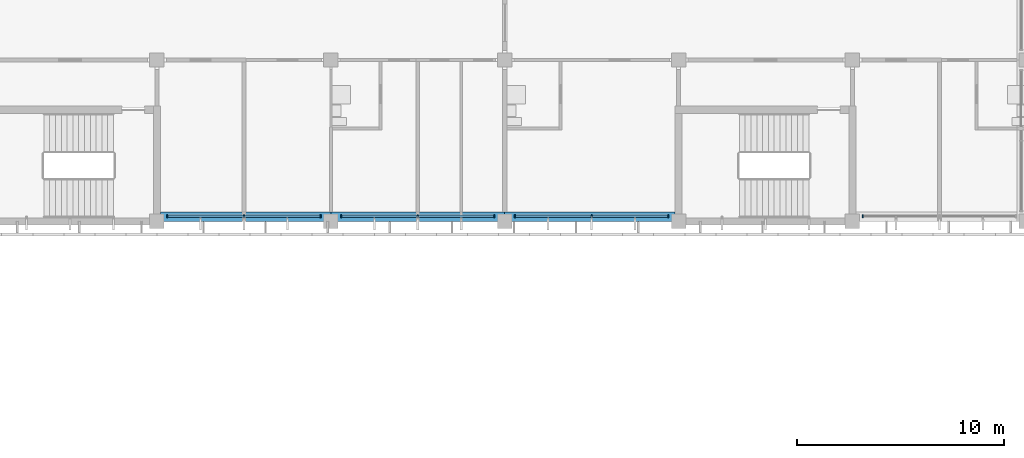
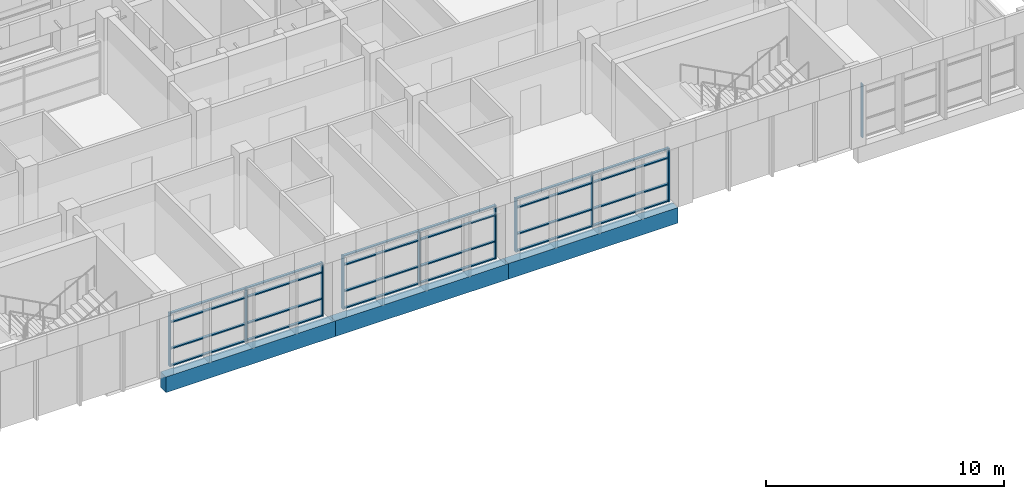
# One storey, part 8 of 74: 34 members, 3 beams, 4 elements without a shape of their own.
"""IFC4 building model written with IfcOpenShell, lengths in metres."""

from ifc_helpers import new_model, si_unit, direction, frame, origin, origin_2d, place, context, subcontext, project, spatial, rectangle, extrude, material, material_profile, profile_set, type_object, element, aggregate, save


model = new_model("IFC4")

# Units and contexts
model_context = context("Model", 3, precision=1e-05, world=origin(), true_north=direction((0.0, 1.0)))
body_context = subcontext(model_context, "Body", "Model", "MODEL_VIEW")
ifc_project = project(units=[si_unit("LENGTHUNIT", "METRE"), si_unit("AREAUNIT", "SQUARE_METRE"), si_unit("VOLUMEUNIT", "CUBIC_METRE"), si_unit("PLANEANGLEUNIT", "RADIAN"), si_unit("MASSUNIT", "GRAM", prefix="KILO")], contexts=[model_context])

# Site, building, storey
site_placement = place(None, origin())
site = spatial("IfcSite", under=ifc_project, at=site_placement, CompositionType="ELEMENT")
building_placement = place(site_placement, origin())
building = spatial("IfcBuilding", under=site, at=building_placement, Name="Bougainvillea Quay General Hospital", CompositionType="ELEMENT")
storey_placement = place(building_placement, frame((0.0, 0.0, 21.0)))
storey = spatial("IfcBuildingStorey", under=building, at=storey_placement, Name="L04", CompositionType="ELEMENT", Elevation=21.0)

# Curtain wall, members
ifc_material_1 = material(Name="Aluminium curtain wall system, powder-coated glazed", Category="aluminium")
curtain_wall_type = type_object("IfcCurtainWallType", Name="Unitised curtain wall CW-3730", PredefinedType="NOTDEFINED", material=ifc_material_1)
curtain_wall_1_placement = place(storey_placement, origin())
curtain_wall_1 = element("IfcCurtainWall", 1, at=curtain_wall_1_placement, inside=storey, type_object=curtain_wall_type, Name="CW-4200 07", PredefinedType="NOTDEFINED")
ifc_material_2 = material(Name="Aluminium mullion, powder-coated charcoal", Category="aluminium")
ifc_material_profile_1 = material_profile(ifc_material_2, rectangle(XDim=0.159912109375, YDim=0.06005859375, at=origin_2d()))
ifc_profile_set_1 = profile_set([ifc_material_profile_1], Name="Aluminium mullion, powder-coated charcoal")
member_type_1 = type_object("IfcMemberType", Name="Curtain wall mullion 160x60", PredefinedType="MULLION", material=ifc_profile_set_1)
member_1_placement = place(storey_placement, frame((126.5, 117.85009765625, 0.0), z_axis=(0.0, 0.0, 1.0), x_axis=(0.0, 1.0, 0.0)))
member_1 = element("IfcMember", 2, at=member_1_placement, type_object=member_type_1, Name="CW-4200 mullion 1", PredefinedType="MULLION", context=body_context, shape_type="SweptSolid", body=[
    extrude(rectangle(XDim=0.159912109375, YDim=0.06005859375, at=origin_2d()), origin(), (0.0, 0.0, 1.0), 2.75),
])
member_2_placement = place(storey_placement, frame((130.199951171875, 117.85009765625, 0.0), z_axis=(0.0, 0.0, 1.0), x_axis=(0.0, 1.0, 0.0)))
member_2 = element("IfcMember", 3, at=member_2_placement, type_object=member_type_1, Name="CW-4200 mullion 2", PredefinedType="MULLION", context=body_context, shape_type="SweptSolid", body=[
    extrude(rectangle(XDim=0.159912109375, YDim=0.06005859375, at=origin_2d()), origin(), (0.0, 0.0, 1.0), 2.75),
])
member_3_placement = place(storey_placement, frame((133.89990234375, 117.85009765625, 0.0), z_axis=(0.0, 0.0, 1.0), x_axis=(0.0, 1.0, 0.0)))
member_3 = element("IfcMember", 4, at=member_3_placement, type_object=member_type_1, Name="CW-4200 mullion 3", PredefinedType="MULLION", context=body_context, shape_type="SweptSolid", body=[
    extrude(rectangle(XDim=0.159912109375, YDim=0.06005859375, at=origin_2d()), origin(), (0.0, 0.0, 1.0), 2.75),
])

curtain_wall_2_placement = place(storey_placement, origin())
curtain_wall_2 = element("IfcCurtainWall", 5, at=curtain_wall_2_placement, inside=storey, type_object=curtain_wall_type, Name="CW-4200 08", PredefinedType="NOTDEFINED")
member_4_placement = place(storey_placement, frame((134.89990234375, 117.85009765625, 0.0), z_axis=(0.0, 0.0, 1.0), x_axis=(0.0, 1.0, 0.0)))
member_4 = element("IfcMember", 6, at=member_4_placement, type_object=member_type_1, Name="CW-4200 mullion 1", PredefinedType="MULLION", context=body_context, shape_type="SweptSolid", body=[
    extrude(rectangle(XDim=0.159912109375, YDim=0.06005859375, at=origin_2d()), origin(), (0.0, 0.0, 1.0), 2.75),
])
member_5_placement = place(storey_placement, frame((138.60009765625, 117.85009765625, 0.0), z_axis=(0.0, 0.0, 1.0), x_axis=(0.0, 1.0, 0.0)))
member_5 = element("IfcMember", 7, at=member_5_placement, type_object=member_type_1, Name="CW-4200 mullion 2", PredefinedType="MULLION", context=body_context, shape_type="SweptSolid", body=[
    extrude(rectangle(XDim=0.159912109375, YDim=0.06005859375, at=origin_2d()), origin(), (0.0, 0.0, 1.0), 2.75),
])
member_6_placement = place(storey_placement, frame((142.300048828125, 117.85009765625, 0.0), z_axis=(0.0, 0.0, 1.0), x_axis=(0.0, 1.0, 0.0)))
member_6 = element("IfcMember", 8, at=member_6_placement, type_object=member_type_1, Name="CW-4200 mullion 3", PredefinedType="MULLION", context=body_context, shape_type="SweptSolid", body=[
    extrude(rectangle(XDim=0.159912109375, YDim=0.06005859375, at=origin_2d()), origin(), (0.0, 0.0, 1.0), 2.75),
])

curtain_wall_3_placement = place(storey_placement, origin())
curtain_wall_3 = element("IfcCurtainWall", 9, at=curtain_wall_3_placement, inside=storey, type_object=curtain_wall_type, Name="CW-4200 09", PredefinedType="NOTDEFINED")
member_7_placement = place(storey_placement, frame((143.300048828125, 117.85009765625, 0.0), z_axis=(0.0, 0.0, 1.0), x_axis=(0.0, 1.0, 0.0)))
member_7 = element("IfcMember", 10, at=member_7_placement, type_object=member_type_1, Name="CW-4200 mullion 1", PredefinedType="MULLION", context=body_context, shape_type="SweptSolid", body=[
    extrude(rectangle(XDim=0.159912109375, YDim=0.06005859375, at=origin_2d()), origin(), (0.0, 0.0, 1.0), 2.75),
])
member_8_placement = place(storey_placement, frame((147.0, 117.85009765625, 0.0), z_axis=(0.0, 0.0, 1.0), x_axis=(0.0, 1.0, 0.0)))
member_8 = element("IfcMember", 11, at=member_8_placement, type_object=member_type_1, Name="CW-4200 mullion 2", PredefinedType="MULLION", context=body_context, shape_type="SweptSolid", body=[
    extrude(rectangle(XDim=0.159912109375, YDim=0.06005859375, at=origin_2d()), origin(), (0.0, 0.0, 1.0), 2.75),
])
member_9_placement = place(storey_placement, frame((150.699951171875, 117.85009765625, 0.0), z_axis=(0.0, 0.0, 1.0), x_axis=(0.0, 1.0, 0.0)))
member_9 = element("IfcMember", 12, at=member_9_placement, type_object=member_type_1, Name="CW-4200 mullion 3", PredefinedType="MULLION", context=body_context, shape_type="SweptSolid", body=[
    extrude(rectangle(XDim=0.159912109375, YDim=0.06005859375, at=origin_2d()), origin(), (0.0, 0.0, 1.0), 2.75),
])

# Curtain wall, member
curtain_wall_4_placement = place(storey_placement, origin())
curtain_wall_4 = element("IfcCurtainWall", 13, at=curtain_wall_4_placement, inside=storey, type_object=curtain_wall_type, Name="CW-4200 10", PredefinedType="NOTDEFINED")
member_10_placement = place(storey_placement, frame((160.10009765625, 117.85009765625, 0.0), z_axis=(0.0, 0.0, 1.0), x_axis=(0.0, 1.0, 0.0)))
member_10 = element("IfcMember", 14, at=member_10_placement, type_object=member_type_1, Name="CW-4200 mullion 1", PredefinedType="MULLION", context=body_context, shape_type="SweptSolid", body=[
    extrude(rectangle(XDim=0.159912109375, YDim=0.06005859375, at=origin_2d()), origin(), (0.0, 0.0, 1.0), 2.75),
])
aggregate(curtain_wall_4, [member_10])

# Member
ifc_material_3 = material(Name="Aluminium transom, powder-coated charcoal", Category="aluminium")
ifc_material_profile_2 = material_profile(ifc_material_3, rectangle(XDim=0.1201171875, YDim=0.06005859375, at=origin_2d()))
ifc_profile_set_2 = profile_set([ifc_material_profile_2], Name="Aluminium transom, powder-coated charcoal")
member_type_2 = type_object("IfcMemberType", Name="Curtain wall transom 120x60", PredefinedType="USERDEFINED", material=ifc_profile_set_2)
member_11_placement = place(storey_placement, frame((126.530029296875, 117.85009765625, 0.030029296875), z_axis=(1.0, 0.0, 0.0), x_axis=(0.0, 1.0, 0.0)))
member_11 = element("IfcMember", 15, at=member_11_placement, type_object=member_type_2, Name="CW-4200 transom 1.1", ObjectType="TRANSOM", PredefinedType="USERDEFINED", context=body_context, shape_type="SweptSolid", body=[
    extrude(rectangle(XDim=0.1201171875, YDim=0.06005859375, at=origin_2d()), origin(), (0.0, 0.0, 1.0), 3.639892578125),
])

member_12_placement = place(storey_placement, frame((126.530029296875, 117.85009765625, 0.89990234375), z_axis=(1.0, 0.0, 0.0), x_axis=(0.0, 1.0, 0.0)))
member_12 = element("IfcMember", 16, at=member_12_placement, type_object=member_type_2, Name="CW-4200 transom 1.2", ObjectType="TRANSOM", PredefinedType="USERDEFINED", context=body_context, shape_type="SweptSolid", body=[
    extrude(rectangle(XDim=0.1201171875, YDim=0.06005859375, at=origin_2d()), origin(), (0.0, 0.0, 1.0), 3.639892578125),
])

member_13_placement = place(storey_placement, frame((126.530029296875, 117.85009765625, 2.25), z_axis=(1.0, 0.0, 0.0), x_axis=(0.0, 1.0, 0.0)))
member_13 = element("IfcMember", 17, at=member_13_placement, type_object=member_type_2, Name="CW-4200 transom 1.3", ObjectType="TRANSOM", PredefinedType="USERDEFINED", context=body_context, shape_type="SweptSolid", body=[
    extrude(rectangle(XDim=0.1201171875, YDim=0.06005859375, at=origin_2d()), origin(), (0.0, 0.0, 1.0), 3.639892578125),
])

member_14_placement = place(storey_placement, frame((126.530029296875, 117.85009765625, 2.719970703125), z_axis=(1.0, 0.0, 0.0), x_axis=(0.0, 1.0, 0.0)))
member_14 = element("IfcMember", 18, at=member_14_placement, type_object=member_type_2, Name="CW-4200 transom 1.4", ObjectType="TRANSOM", PredefinedType="USERDEFINED", context=body_context, shape_type="SweptSolid", body=[
    extrude(rectangle(XDim=0.1201171875, YDim=0.06005859375, at=origin_2d()), origin(), (0.0, 0.0, 1.0), 3.639892578125),
])

member_15_placement = place(storey_placement, frame((130.22998046875, 117.85009765625, 0.030029296875), z_axis=(1.0, 0.0, 0.0), x_axis=(0.0, 1.0, 0.0)))
member_15 = element("IfcMember", 19, at=member_15_placement, type_object=member_type_2, Name="CW-4200 transom 2.1", ObjectType="TRANSOM", PredefinedType="USERDEFINED", context=body_context, shape_type="SweptSolid", body=[
    extrude(rectangle(XDim=0.1201171875, YDim=0.06005859375, at=origin_2d()), origin(), (0.0, 0.0, 1.0), 3.64013671875),
])

member_16_placement = place(storey_placement, frame((130.22998046875, 117.85009765625, 0.89990234375), z_axis=(1.0, 0.0, 0.0), x_axis=(0.0, 1.0, 0.0)))
member_16 = element("IfcMember", 20, at=member_16_placement, type_object=member_type_2, Name="CW-4200 transom 2.2", ObjectType="TRANSOM", PredefinedType="USERDEFINED", context=body_context, shape_type="SweptSolid", body=[
    extrude(rectangle(XDim=0.1201171875, YDim=0.06005859375, at=origin_2d()), origin(), (0.0, 0.0, 1.0), 3.64013671875),
])

member_17_placement = place(storey_placement, frame((130.22998046875, 117.85009765625, 2.25), z_axis=(1.0, 0.0, 0.0), x_axis=(0.0, 1.0, 0.0)))
member_17 = element("IfcMember", 21, at=member_17_placement, type_object=member_type_2, Name="CW-4200 transom 2.3", ObjectType="TRANSOM", PredefinedType="USERDEFINED", context=body_context, shape_type="SweptSolid", body=[
    extrude(rectangle(XDim=0.1201171875, YDim=0.06005859375, at=origin_2d()), origin(), (0.0, 0.0, 1.0), 3.64013671875),
])

member_18_placement = place(storey_placement, frame((130.22998046875, 117.85009765625, 2.719970703125), z_axis=(1.0, 0.0, 0.0), x_axis=(0.0, 1.0, 0.0)))
member_18 = element("IfcMember", 22, at=member_18_placement, type_object=member_type_2, Name="CW-4200 transom 2.4", ObjectType="TRANSOM", PredefinedType="USERDEFINED", context=body_context, shape_type="SweptSolid", body=[
    extrude(rectangle(XDim=0.1201171875, YDim=0.06005859375, at=origin_2d()), origin(), (0.0, 0.0, 1.0), 3.64013671875),
])

aggregate(curtain_wall_1, [member_1, member_2, member_3, member_11, member_12, member_13, member_14, member_15, member_16, member_17, member_18])

member_19_placement = place(storey_placement, frame((134.929931640625, 117.85009765625, 0.030029296875), z_axis=(1.0, 0.0, 0.0), x_axis=(0.0, 1.0, 0.0)))
member_19 = element("IfcMember", 23, at=member_19_placement, type_object=member_type_2, Name="CW-4200 transom 1.1", ObjectType="TRANSOM", PredefinedType="USERDEFINED", context=body_context, shape_type="SweptSolid", body=[
    extrude(rectangle(XDim=0.1201171875, YDim=0.06005859375, at=origin_2d()), origin(), (0.0, 0.0, 1.0), 3.64013671875),
])

member_20_placement = place(storey_placement, frame((134.929931640625, 117.85009765625, 0.89990234375), z_axis=(1.0, 0.0, 0.0), x_axis=(0.0, 1.0, 0.0)))
member_20 = element("IfcMember", 24, at=member_20_placement, type_object=member_type_2, Name="CW-4200 transom 1.2", ObjectType="TRANSOM", PredefinedType="USERDEFINED", context=body_context, shape_type="SweptSolid", body=[
    extrude(rectangle(XDim=0.1201171875, YDim=0.06005859375, at=origin_2d()), origin(), (0.0, 0.0, 1.0), 3.64013671875),
])

member_21_placement = place(storey_placement, frame((134.929931640625, 117.85009765625, 2.25), z_axis=(1.0, 0.0, 0.0), x_axis=(0.0, 1.0, 0.0)))
member_21 = element("IfcMember", 25, at=member_21_placement, type_object=member_type_2, Name="CW-4200 transom 1.3", ObjectType="TRANSOM", PredefinedType="USERDEFINED", context=body_context, shape_type="SweptSolid", body=[
    extrude(rectangle(XDim=0.1201171875, YDim=0.06005859375, at=origin_2d()), origin(), (0.0, 0.0, 1.0), 3.64013671875),
])

member_22_placement = place(storey_placement, frame((134.929931640625, 117.85009765625, 2.719970703125), z_axis=(1.0, 0.0, 0.0), x_axis=(0.0, 1.0, 0.0)))
member_22 = element("IfcMember", 26, at=member_22_placement, type_object=member_type_2, Name="CW-4200 transom 1.4", ObjectType="TRANSOM", PredefinedType="USERDEFINED", context=body_context, shape_type="SweptSolid", body=[
    extrude(rectangle(XDim=0.1201171875, YDim=0.06005859375, at=origin_2d()), origin(), (0.0, 0.0, 1.0), 3.64013671875),
])

member_23_placement = place(storey_placement, frame((138.6298828125, 117.85009765625, 0.030029296875), z_axis=(1.0, 0.0, 0.0), x_axis=(0.0, 1.0, 0.0)))
member_23 = element("IfcMember", 27, at=member_23_placement, type_object=member_type_2, Name="CW-4200 transom 2.1", ObjectType="TRANSOM", PredefinedType="USERDEFINED", context=body_context, shape_type="SweptSolid", body=[
    extrude(rectangle(XDim=0.1201171875, YDim=0.06005859375, at=origin_2d()), origin(), (0.0, 0.0, 1.0), 3.64013671875),
])

member_24_placement = place(storey_placement, frame((138.6298828125, 117.85009765625, 0.89990234375), z_axis=(1.0, 0.0, 0.0), x_axis=(0.0, 1.0, 0.0)))
member_24 = element("IfcMember", 28, at=member_24_placement, type_object=member_type_2, Name="CW-4200 transom 2.2", ObjectType="TRANSOM", PredefinedType="USERDEFINED", context=body_context, shape_type="SweptSolid", body=[
    extrude(rectangle(XDim=0.1201171875, YDim=0.06005859375, at=origin_2d()), origin(), (0.0, 0.0, 1.0), 3.64013671875),
])

member_25_placement = place(storey_placement, frame((138.6298828125, 117.85009765625, 2.25), z_axis=(1.0, 0.0, 0.0), x_axis=(0.0, 1.0, 0.0)))
member_25 = element("IfcMember", 29, at=member_25_placement, type_object=member_type_2, Name="CW-4200 transom 2.3", ObjectType="TRANSOM", PredefinedType="USERDEFINED", context=body_context, shape_type="SweptSolid", body=[
    extrude(rectangle(XDim=0.1201171875, YDim=0.06005859375, at=origin_2d()), origin(), (0.0, 0.0, 1.0), 3.64013671875),
])

member_26_placement = place(storey_placement, frame((138.6298828125, 117.85009765625, 2.719970703125), z_axis=(1.0, 0.0, 0.0), x_axis=(0.0, 1.0, 0.0)))
member_26 = element("IfcMember", 30, at=member_26_placement, type_object=member_type_2, Name="CW-4200 transom 2.4", ObjectType="TRANSOM", PredefinedType="USERDEFINED", context=body_context, shape_type="SweptSolid", body=[
    extrude(rectangle(XDim=0.1201171875, YDim=0.06005859375, at=origin_2d()), origin(), (0.0, 0.0, 1.0), 3.64013671875),
])

aggregate(curtain_wall_2, [member_4, member_5, member_6, member_19, member_20, member_21, member_22, member_23, member_24, member_25, member_26])

member_27_placement = place(storey_placement, frame((143.330078125, 117.85009765625, 0.030029296875), z_axis=(1.0, 0.0, 0.0), x_axis=(0.0, 1.0, 0.0)))
member_27 = element("IfcMember", 31, at=member_27_placement, type_object=member_type_2, Name="CW-4200 transom 1.1", ObjectType="TRANSOM", PredefinedType="USERDEFINED", context=body_context, shape_type="SweptSolid", body=[
    extrude(rectangle(XDim=0.1201171875, YDim=0.06005859375, at=origin_2d()), origin(), (0.0, 0.0, 1.0), 3.639892578125),
])

member_28_placement = place(storey_placement, frame((143.330078125, 117.85009765625, 0.89990234375), z_axis=(1.0, 0.0, 0.0), x_axis=(0.0, 1.0, 0.0)))
member_28 = element("IfcMember", 32, at=member_28_placement, type_object=member_type_2, Name="CW-4200 transom 1.2", ObjectType="TRANSOM", PredefinedType="USERDEFINED", context=body_context, shape_type="SweptSolid", body=[
    extrude(rectangle(XDim=0.1201171875, YDim=0.06005859375, at=origin_2d()), origin(), (0.0, 0.0, 1.0), 3.639892578125),
])

member_29_placement = place(storey_placement, frame((143.330078125, 117.85009765625, 2.25), z_axis=(1.0, 0.0, 0.0), x_axis=(0.0, 1.0, 0.0)))
member_29 = element("IfcMember", 33, at=member_29_placement, type_object=member_type_2, Name="CW-4200 transom 1.3", ObjectType="TRANSOM", PredefinedType="USERDEFINED", context=body_context, shape_type="SweptSolid", body=[
    extrude(rectangle(XDim=0.1201171875, YDim=0.06005859375, at=origin_2d()), origin(), (0.0, 0.0, 1.0), 3.639892578125),
])

member_30_placement = place(storey_placement, frame((143.330078125, 117.85009765625, 2.719970703125), z_axis=(1.0, 0.0, 0.0), x_axis=(0.0, 1.0, 0.0)))
member_30 = element("IfcMember", 34, at=member_30_placement, type_object=member_type_2, Name="CW-4200 transom 1.4", ObjectType="TRANSOM", PredefinedType="USERDEFINED", context=body_context, shape_type="SweptSolid", body=[
    extrude(rectangle(XDim=0.1201171875, YDim=0.06005859375, at=origin_2d()), origin(), (0.0, 0.0, 1.0), 3.639892578125),
])

member_31_placement = place(storey_placement, frame((147.030029296875, 117.85009765625, 0.030029296875), z_axis=(1.0, 0.0, 0.0), x_axis=(0.0, 1.0, 0.0)))
member_31 = element("IfcMember", 35, at=member_31_placement, type_object=member_type_2, Name="CW-4200 transom 2.1", ObjectType="TRANSOM", PredefinedType="USERDEFINED", context=body_context, shape_type="SweptSolid", body=[
    extrude(rectangle(XDim=0.1201171875, YDim=0.06005859375, at=origin_2d()), origin(), (0.0, 0.0, 1.0), 3.639892578125),
])

member_32_placement = place(storey_placement, frame((147.030029296875, 117.85009765625, 0.89990234375), z_axis=(1.0, 0.0, 0.0), x_axis=(0.0, 1.0, 0.0)))
member_32 = element("IfcMember", 36, at=member_32_placement, type_object=member_type_2, Name="CW-4200 transom 2.2", ObjectType="TRANSOM", PredefinedType="USERDEFINED", context=body_context, shape_type="SweptSolid", body=[
    extrude(rectangle(XDim=0.1201171875, YDim=0.06005859375, at=origin_2d()), origin(), (0.0, 0.0, 1.0), 3.639892578125),
])

member_33_placement = place(storey_placement, frame((147.030029296875, 117.85009765625, 2.25), z_axis=(1.0, 0.0, 0.0), x_axis=(0.0, 1.0, 0.0)))
member_33 = element("IfcMember", 37, at=member_33_placement, type_object=member_type_2, Name="CW-4200 transom 2.3", ObjectType="TRANSOM", PredefinedType="USERDEFINED", context=body_context, shape_type="SweptSolid", body=[
    extrude(rectangle(XDim=0.1201171875, YDim=0.06005859375, at=origin_2d()), origin(), (0.0, 0.0, 1.0), 3.639892578125),
])

member_34_placement = place(storey_placement, frame((147.030029296875, 117.85009765625, 2.719970703125), z_axis=(1.0, 0.0, 0.0), x_axis=(0.0, 1.0, 0.0)))
member_34 = element("IfcMember", 38, at=member_34_placement, type_object=member_type_2, Name="CW-4200 transom 2.4", ObjectType="TRANSOM", PredefinedType="USERDEFINED", context=body_context, shape_type="SweptSolid", body=[
    extrude(rectangle(XDim=0.1201171875, YDim=0.06005859375, at=origin_2d()), origin(), (0.0, 0.0, 1.0), 3.639892578125),
])

aggregate(curtain_wall_3, [member_7, member_8, member_9, member_27, member_28, member_29, member_30, member_31, member_32, member_33, member_34])

# Beams
ifc_material_4 = material(Name="Concrete C40", Category="concrete")
ifc_material_profile_3 = material_profile(ifc_material_4, rectangle(XDim=0.449951171875, YDim=0.800048828125, at=origin_2d()))
ifc_profile_set_3 = profile_set([ifc_material_profile_3], Name="Concrete C40")
beam_type = type_object("IfcBeamType", Name="RC BEAM 450x800 C40", PredefinedType="BEAM", material=ifc_profile_set_3)
beam_1_placement = place(storey_placement, frame((126.175048828125, 117.824951171875, -0.699951171875), z_axis=(1.0, 0.0, 0.0), x_axis=(0.0, 1.0, 0.0)))
element("IfcBeam", 39, at=beam_1_placement, inside=storey, type_object=beam_type, Name="Edge beam L04", PredefinedType="BEAM", context=body_context, shape_type="SweptSolid", body=[
    extrude(rectangle(XDim=0.449951171875, YDim=0.800048828125, at=origin_2d()), origin(), (0.0, 0.0, 1.0), 8.224853515625),
])
beam_2_placement = place(storey_placement, frame((134.39990234375, 117.824951171875, -0.699951171875), z_axis=(1.0, 0.0, 0.0), x_axis=(0.0, 1.0, 0.0)))
element("IfcBeam", 40, at=beam_2_placement, inside=storey, type_object=beam_type, Name="Edge beam L04", PredefinedType="BEAM", context=body_context, shape_type="SweptSolid", body=[
    extrude(rectangle(XDim=0.449951171875, YDim=0.800048828125, at=origin_2d()), origin(), (0.0, 0.0, 1.0), 8.400146484375),
])
beam_3_placement = place(storey_placement, frame((142.800048828125, 117.824951171875, -0.699951171875), z_axis=(1.0, 0.0, 0.0), x_axis=(0.0, 1.0, 0.0)))
element("IfcBeam", 41, at=beam_3_placement, inside=storey, type_object=beam_type, Name="Edge beam L04", PredefinedType="BEAM", context=body_context, shape_type="SweptSolid", body=[
    extrude(rectangle(XDim=0.449951171875, YDim=0.800048828125, at=origin_2d()), origin(), (0.0, 0.0, 1.0), 8.224853515625),
])

save(model, "model.ifc")
